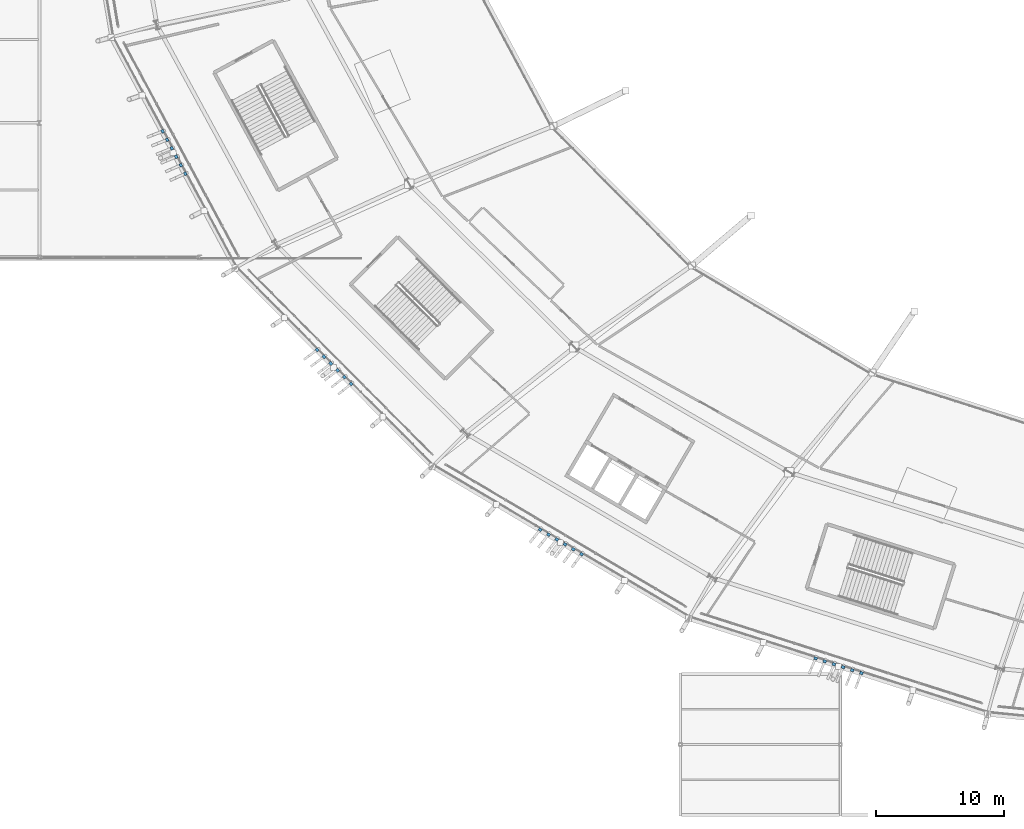
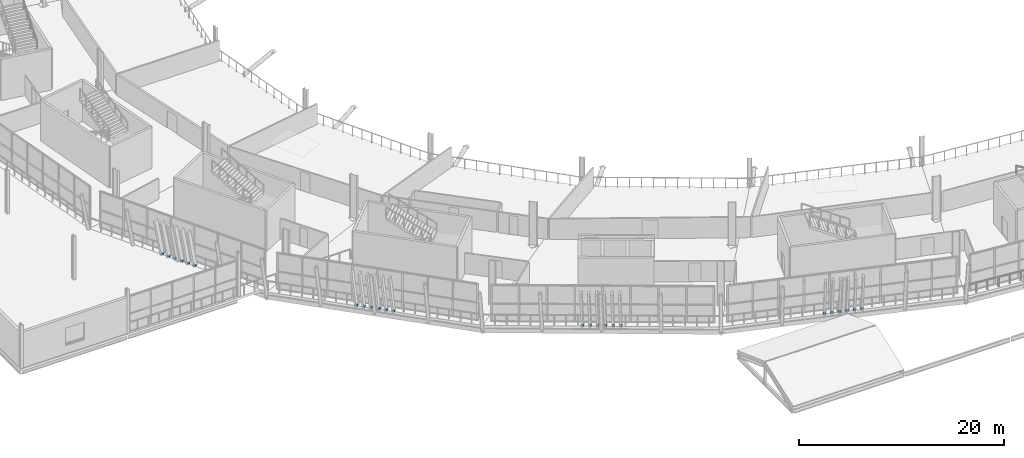
# One storey, part 132 of 168: 24 discrete accessories.
"""IFC4 building model written with IfcOpenShell, lengths in metres."""

from ifc_helpers import new_model, si_unit, direction, frame, origin, origin_2d, place, context, subcontext, project, spatial, rectangle, extrude, material, type_object, element, save


model = new_model("IFC4")

# Units and contexts
model_context = context("Model", 3, precision=1e-05, world=origin(), true_north=direction((0.0, 1.0)))
body_context = subcontext(model_context, "Body", "Model", "MODEL_VIEW")
ifc_project = project(units=[si_unit("LENGTHUNIT", "METRE"), si_unit("AREAUNIT", "SQUARE_METRE"), si_unit("VOLUMEUNIT", "CUBIC_METRE"), si_unit("PLANEANGLEUNIT", "RADIAN"), si_unit("MASSUNIT", "GRAM", prefix="KILO")], contexts=[model_context])

# Site, building, storey
site_placement = place(None, origin())
site = spatial("IfcSite", under=ifc_project, at=site_placement, CompositionType="ELEMENT")
building_placement = place(site_placement, origin())
building = spatial("IfcBuilding", under=site, at=building_placement, Name="Zlatoyarsky Gate Stadium", CompositionType="ELEMENT")
storey_placement = place(building_placement, frame((0.0, 0.0, 15.60009765625)))
storey = spatial("IfcBuildingStorey", under=building, at=storey_placement, Name="L03", CompositionType="ELEMENT", Elevation=15.60009765625)

# Discrete accessories
ifc_material = material(Name="Steel S355", Category="steel")
discrete_accessory_type = type_object("IfcDiscreteAccessoryType", Name="STEEL LOUVRE ANCHOR BRACKET 260X220X160", PredefinedType="BRACKET", material=ifc_material)
for number, where, z_axis, x_axis, name in (
    (1, (21.610107421875, 53.340087890625, -0.02001953125), (0.0, 0.0, 1.0), (0.472642994374, -0.881253992825, 0.0), "Louvre anchor bracket L03-13-1"),
    (2, (21.964599609375, 52.67919921875, -0.02001953125), (0.0, 0.0, 1.0), (0.472642994374, -0.881253992825, 0.0), "Louvre anchor bracket L03-13-2"),
    (3, (22.319091796875, 52.01806640625, -0.02001953125), (0.0, 0.0, 1.0), (0.472642994374, -0.881253992825, 0.0), "Louvre anchor bracket L03-13-3"),
    (4, (22.673583984375, 51.357177734375, -0.02001953125), (0.0, 0.0, 1.0), (0.472642994374, -0.881253992825, 0.0), "Louvre anchor bracket L03-13-4"),
    (5, (23.028076171875, 50.6962890625, -0.02001953125), (0.0, 0.0, 1.0), (0.472642994374, -0.881253992825, 0.0), "Louvre anchor bracket L03-13-5"),
    (6, (23.382568359375, 50.035400390625, -0.02001953125), (0.0, 0.0, 1.0), (0.472642994374, -0.881253992825, 0.0), "Louvre anchor bracket L03-13-6"),
    (7, (33.6787109375, 36.29150390625, -0.02001953125), (0.0, 0.0, 1.0), (0.704814912605, -0.709391245343, 0.0), "Louvre anchor bracket L03-14-1"),
    (8, (34.207275390625, 35.759521484375, -0.02001953125), (0.0, 0.0, 1.0), (0.704814912605, -0.709391245343, 0.0), "Louvre anchor bracket L03-14-2"),
    (9, (34.73583984375, 35.2275390625, -0.02001953125), (0.0, 0.0, 1.0), (0.704814912605, -0.709391245343, 0.0), "Louvre anchor bracket L03-14-3"),
    (10, (35.2646484375, 34.695556640625, -0.02001953125), (0.0, 0.0, 1.0), (0.704814912605, -0.709391245343, 0.0), "Louvre anchor bracket L03-14-4"),
    (11, (35.793212890625, 34.163330078125, -0.02001953125), (0.0, 0.0, 1.0), (0.704814912605, -0.709391245343, 0.0), "Louvre anchor bracket L03-14-5"),
    (12, (36.32177734375, 33.63134765625, -0.02001953125), (0.0, 0.0, 1.0), (0.704814912605, -0.709391245343, 0.0), "Louvre anchor bracket L03-14-6"),
    (13, (51.0703125, 22.260498046875, -0.02001953125), (0.0, 0.0, 1.0), (0.860284550348, -0.509814174413, 0.0), "Louvre anchor bracket L03-15-1"),
    (14, (51.715576171875, 21.878173828125, -0.02001953125), (0.0, 0.0, 1.0), (0.860284550348, -0.509814174413, 0.0), "Louvre anchor bracket L03-15-2"),
    (15, (52.360595703125, 21.495849609375, -0.02001953125), (0.0, 0.0, 1.0), (0.860284550348, -0.509814174413, 0.0), "Louvre anchor bracket L03-15-3"),
    (16, (53.006103515625, 21.113525390625, -0.02001953125), (0.0, 0.0, 1.0), (0.860284550348, -0.509814174413, 0.0), "Louvre anchor bracket L03-15-4"),
    (17, (53.651123046875, 20.731201171875, -0.02001953125), (0.0, 0.0, 1.0), (0.860284550348, -0.509814174413, 0.0), "Louvre anchor bracket L03-15-5"),
    (18, (54.29638671875, 20.348876953125, -0.02001953125), (0.0, 0.0, 1.0), (0.860284550348, -0.509814174413, 0.0), "Louvre anchor bracket L03-15-6"),
    (19, (72.5546875, 12.21923828125, -0.02001953125), (0.0, 0.0, 1.0), (0.95245128845, -0.304690897682, 0.0), "Louvre anchor bracket L03-16-1"),
    (20, (73.26904296875, 11.99072265625, -0.02001953125), (0.0, 0.0, 1.0), (0.95245128845, -0.304690897682, 0.0), "Louvre anchor bracket L03-16-2"),
    (21, (73.9833984375, 11.76220703125, -0.02001953125), (0.0, 0.0, 1.0), (0.95245128845, -0.304690897682, 0.0), "Louvre anchor bracket L03-16-3"),
    (22, (74.69775390625, 11.53369140625, -0.02001953125), (0.0, 0.0, 1.0), (0.95245128845, -0.304690897682, 0.0), "Louvre anchor bracket L03-16-4"),
    (23, (75.412109375, 11.30517578125, -0.02001953125), (0.0, 0.0, 1.0), (0.95245128845, -0.304690897682, 0.0), "Louvre anchor bracket L03-16-5"),
    (24, (76.12646484375, 11.07666015625, -0.02001953125), (0.0, 0.0, 1.0), (0.95245128845, -0.304690897682, 0.0), "Louvre anchor bracket L03-16-6"),
):
    element("IfcDiscreteAccessory", number, at=place(storey_placement, frame(where, z_axis=z_axis, x_axis=x_axis)), inside=storey, type_object=discrete_accessory_type, Name=name, PredefinedType="BRACKET", context=body_context, shape_type="SweptSolid", body=[
        extrude(rectangle(XDim=0.260009765625, YDim=0.219970703125, at=origin_2d()), origin(), (0.0, 0.0, 1.0), 0.159912109375),
    ])

save(model, "model.ifc")
